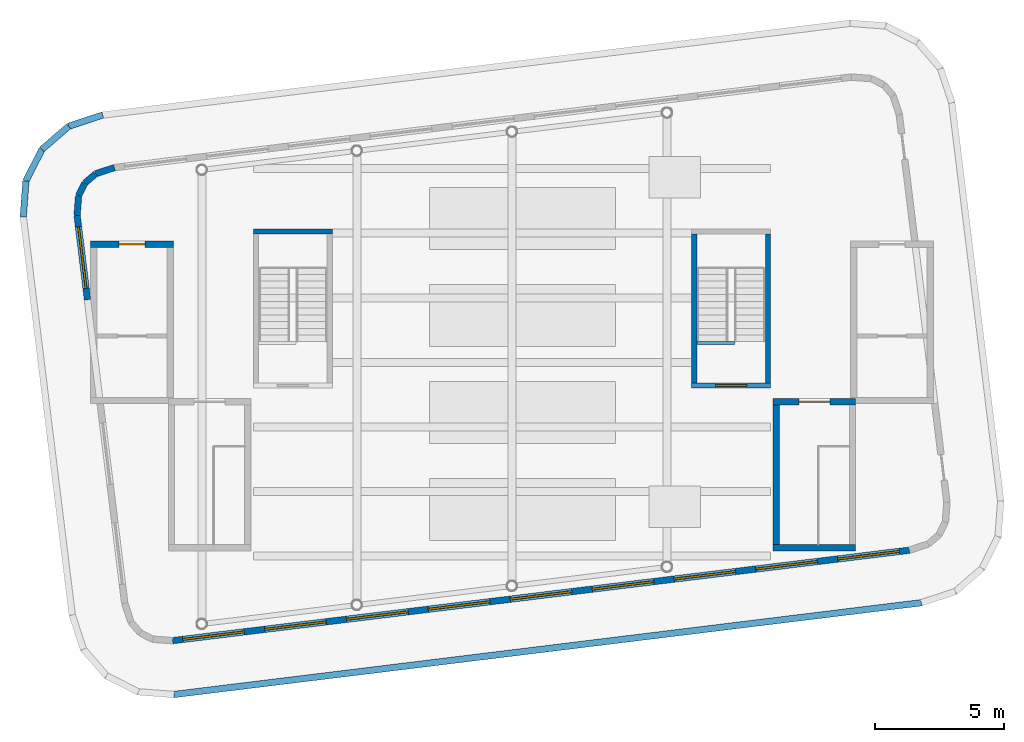
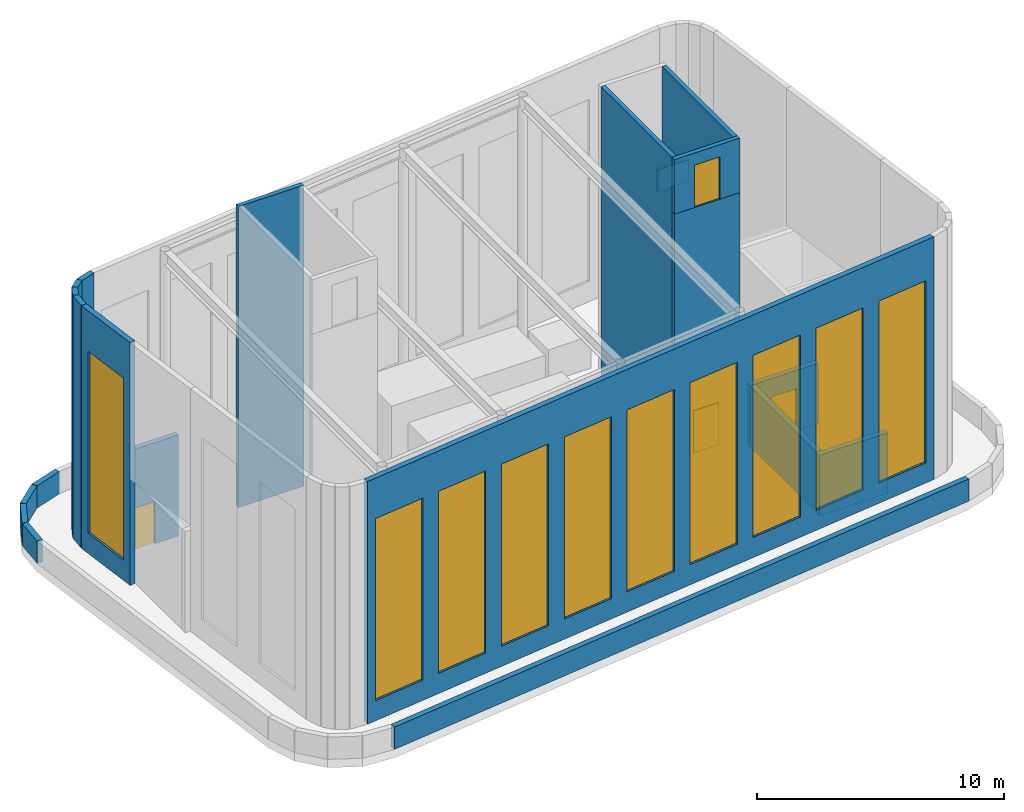
# One storey, part 3 of 7: 21 walls, 10 windows, 4 doors, 14 openings.
"""IFC4 building model written with IfcOpenShell, lengths in metres."""

from ifc_helpers import new_model, si_unit, direction, frame, frame_2d, origin, place, context, subcontext, project, spatial, rectangle, extrude, material, layer, layer_set, type_object, element, fill, save


model = new_model("IFC4")

# Units and contexts
model_context = context("Model", 3, precision=1e-05, world=origin(), true_north=direction((0.0, 1.0)))
body_context = subcontext(model_context, "Body", "Model", "MODEL_VIEW")
ifc_project = project(units=[si_unit("LENGTHUNIT", "METRE"), si_unit("AREAUNIT", "SQUARE_METRE"), si_unit("VOLUMEUNIT", "CUBIC_METRE"), si_unit("PLANEANGLEUNIT", "RADIAN"), si_unit("MASSUNIT", "GRAM", prefix="KILO")], contexts=[model_context])

# Site, building, storey
site_placement = place(None, origin())
site = spatial("IfcSite", under=ifc_project, at=site_placement, CompositionType="ELEMENT")
building_placement = place(site_placement, origin())
building = spatial("IfcBuilding", under=site, at=building_placement, Name="Torana Hotel and Residences", CompositionType="ELEMENT")
storey_placement = place(building_placement, frame((0.0, 0.0, 363.39990234375)))
storey = spatial("IfcBuildingStorey", under=building, at=storey_placement, Name="RF", CompositionType="ELEMENT", Elevation=363.39990234375)

# Wall, opening, door
ifc_material_1 = material(Name="Concrete C50/60", Category="concrete")
ifc_layer_1 = layer(ifc_material_1, 0.25)
ifc_layer_set_1 = layer_set([ifc_layer_1], Name="CORE WALL 250 C50/60")
wall_type_1 = type_object("IfcWallType", Name="CORE WALL 250 C50/60", PredefinedType="SHEAR", material=ifc_layer_set_1)
wall_1_placement = place(storey_placement, frame((10.10009765625, -9.02490234375, 0.0), z_axis=(0.0, 0.0, 1.0), x_axis=(1.0, 0.0, 0.0)))
wall_1 = element("IfcWall", 1, at=wall_1_placement, inside=storey, type_object=wall_type_1, Name="Stair head-house wall ST3", PredefinedType="SHEAR", context=body_context, shape_type="SweptSolid", body=[
    extrude(rectangle(XDim=3.199951171875, YDim=0.25, at=frame_2d((1.60009765625, 0.0))), origin(), (0.0, 0.0, 1.0), 3.0),
])
opening_1_placement = place(wall_1_placement, frame((1.0, 0.0, 0.0)))
opening_1 = element("IfcOpeningElement", 2, at=opening_1_placement, cuts=wall_1, Name="Opening RF-04", PredefinedType="OPENING", context=body_context, shape_type="SweptSolid", body=[
    extrude(rectangle(XDim=1.199951171875, YDim=2.10009765625, at=frame_2d((0.60009765625, 1.050048828125))), frame((0.0, 0.135009765625, 0.0), z_axis=(0.0, -1.0, 0.0), x_axis=(1.0, 0.0, 0.0)), (0.0, 0.0, 1.0), 0.27001953125),
])
ifc_material_2 = material(Name="Steel S235", Category="steel")
door_type_1 = type_object("IfcDoorType", Name="STAIR FIRE DOOR D3 1200x2100", OperationType="SINGLE_SWING_LEFT", PredefinedType="DOOR", material=ifc_material_2)
door_1_placement = place(opening_1_placement, frame((0.60009765625, 0.0, 0.0), z_axis=(0.0, 0.0, 1.0), x_axis=(-1.0, 0.0, 0.0)))
door_1 = element("IfcDoor", 3, at=door_1_placement, inside=storey, type_object=door_type_1, Name="Stair ST3 head-house door", OperationType="SINGLE_SWING_LEFT", OverallHeight=2.10009765625, OverallWidth=1.199951171875, PredefinedType="DOOR", context=body_context, shape_type="SweptSolid", body=[
    extrude(rectangle(XDim=1.199951171875, YDim=2.10009765625, at=frame_2d((0.0, 1.050048828125))), frame((0.0, -0.02490234375, 0.0), z_axis=(0.0, 1.0, 0.0), x_axis=(-1.0, 0.0, 0.0)), (0.0, 0.0, 1.0), 0.050048828125),
])
fill(opening_1, door_1)

# Walls
wall_2_placement = place(storey_placement, frame((10.10009765625, -14.675048828125, 0.0), z_axis=(0.0, 0.0, 1.0), x_axis=(1.0, 0.0, 0.0)))
element("IfcWall", 4, at=wall_2_placement, inside=storey, type_object=wall_type_1, Name="Stair head-house wall ST3", PredefinedType="SHEAR", context=body_context, shape_type="SweptSolid", body=[
    extrude(rectangle(XDim=3.199951171875, YDim=0.25, at=frame_2d((1.60009765625, 0.0))), origin(), (0.0, 0.0, 1.0), 3.0),
])
wall_3_placement = place(storey_placement, frame((10.22509765625, -14.550048828125, 0.0), z_axis=(0.0, 0.0, 1.0), x_axis=(0.0, 1.0, 0.0)))
element("IfcWall", 5, at=wall_3_placement, inside=storey, type_object=wall_type_1, Name="Stair head-house wall ST3", PredefinedType="SHEAR", context=body_context, shape_type="SweptSolid", body=[
    extrude(rectangle(XDim=5.400146484375, YDim=0.25, at=frame_2d((2.7001953125, 0.0))), origin(), (0.0, 0.0, 1.0), 3.0),
])

# Wall, opening, door
wall_4_placement = place(storey_placement, frame((-16.300048828125, -2.925048828125, 0.0), z_axis=(0.0, 0.0, 1.0), x_axis=(1.0, 0.0, 0.0)))
wall_4 = element("IfcWall", 6, at=wall_4_placement, inside=storey, type_object=wall_type_1, Name="Lift penthouse wall W", PredefinedType="SHEAR", context=body_context, shape_type="SweptSolid", body=[
    extrude(rectangle(XDim=3.199951171875, YDim=0.25, at=frame_2d((1.60009765625, 0.0))), origin(), (0.0, 0.0, 1.0), 5.0),
])
opening_2_placement = place(wall_4_placement, frame((1.10009765625, 0.0, 0.0)))
opening_2 = element("IfcOpeningElement", 7, at=opening_2_placement, cuts=wall_4, Name="Opening RF-01", PredefinedType="OPENING", context=body_context, shape_type="SweptSolid", body=[
    extrude(rectangle(XDim=1.0, YDim=2.10009765625, at=frame_2d((0.5, 1.050048828125))), frame((0.0, 0.135009765625, 0.0), z_axis=(0.0, -1.0, 0.0), x_axis=(1.0, 0.0, 0.0)), (0.0, 0.0, 1.0), 0.27001953125),
])
ifc_material_3 = material(Name="Steel S235", Category="steel")
door_type_2 = type_object("IfcDoorType", Name="ROOF LOBBY DOOR D9 1000x2100", OperationType="SINGLE_SWING_LEFT", PredefinedType="DOOR", material=ifc_material_3)
door_2_placement = place(opening_2_placement, origin())
door_2 = element("IfcDoor", 8, at=door_2_placement, inside=storey, type_object=door_type_2, Name="Roof lift lobby door", OperationType="SINGLE_SWING_RIGHT", OverallHeight=2.10009765625, OverallWidth=1.0, PredefinedType="DOOR", context=body_context, shape_type="SweptSolid", body=[
    extrude(rectangle(XDim=1.0, YDim=2.10009765625, at=frame_2d((0.5, 1.050048828125))), frame((0.0, 0.02490234375, 0.0), z_axis=(0.0, -1.0, 0.0), x_axis=(1.0, 0.0, 0.0)), (0.0, 0.0, 1.0), 0.050048828125),
])
fill(opening_2, door_2)

# Wall, openings, windows
ifc_material_4 = material(Name="Aluminium louvre wall", Category="aluminium")
ifc_layer_2 = layer(ifc_material_4, 0.25)
ifc_layer_set_2 = layer_set([ifc_layer_2], Name="EW3 LOUVRE WALL 250")
wall_type_2 = type_object("IfcWallType", Name="EW3 LOUVRE WALL 250", PredefinedType="SOLIDWALL", material=ifc_layer_set_2)
wall_5_placement = place(storey_placement, frame((15.3798828125, -14.766845703125, 0.0), z_axis=(0.0, 0.0, 1.0), x_axis=(-0.992546810088, -0.121863980664, 0.0)))
wall_5 = element("IfcWall", 9, at=wall_5_placement, inside=storey, type_object=wall_type_2, Name="Plant enclosure louvre wall 6", PredefinedType="SOLIDWALL", context=body_context, shape_type="SweptSolid", body=[
    extrude(rectangle(XDim=28.7265625, YDim=0.25, at=frame_2d((14.36328125, 0.0))), origin(), (0.0, 0.0, 1.0), 12.0),
])
opening_3_placement = place(wall_5_placement, frame((0.39599609375, 0.0, 1.0)))
opening_3 = element("IfcOpeningElement", 10, at=opening_3_placement, cuts=wall_5, Name="Opening LV3", PredefinedType="OPENING", context=body_context, shape_type="SweptSolid", body=[
    extrude(rectangle(XDim=2.39990234375, YDim=9.0, at=frame_2d((1.199951171875, 4.5))), frame((0.0, 0.135009765625, 0.0), z_axis=(0.0, -1.0, 0.0), x_axis=(1.0, 0.0, 0.0)), (0.0, 0.0, 1.0), 0.27001953125),
])
opening_4_placement = place(wall_5_placement, frame((3.587890625, 0.0, 1.0)))
opening_4 = element("IfcOpeningElement", 11, at=opening_4_placement, cuts=wall_5, Name="Opening LV3", PredefinedType="OPENING", context=body_context, shape_type="SweptSolid", body=[
    extrude(rectangle(XDim=2.39990234375, YDim=9.0, at=frame_2d((1.199951171875, 4.5))), frame((0.0, 0.135009765625, 0.0), z_axis=(0.0, -1.0, 0.0), x_axis=(1.0, 0.0, 0.0)), (0.0, 0.0, 1.0), 0.27001953125),
])
opening_5_placement = place(wall_5_placement, frame((6.779541015625, 0.0, 1.0)))
opening_5 = element("IfcOpeningElement", 12, at=opening_5_placement, cuts=wall_5, Name="Opening LV3", PredefinedType="OPENING", context=body_context, shape_type="SweptSolid", body=[
    extrude(rectangle(XDim=2.39990234375, YDim=9.0, at=frame_2d((1.199951171875, 4.5))), frame((0.0, 0.135009765625, 0.0), z_axis=(0.0, -1.0, 0.0), x_axis=(1.0, 0.0, 0.0)), (0.0, 0.0, 1.0), 0.27001953125),
])
opening_6_placement = place(wall_5_placement, frame((9.971435546875, 0.0, 1.0)))
opening_6 = element("IfcOpeningElement", 13, at=opening_6_placement, cuts=wall_5, Name="Opening LV3", PredefinedType="OPENING", context=body_context, shape_type="SweptSolid", body=[
    extrude(rectangle(XDim=2.39990234375, YDim=9.0, at=frame_2d((1.199951171875, 4.5))), frame((0.0, 0.135009765625, 0.0), z_axis=(0.0, -1.0, 0.0), x_axis=(1.0, 0.0, 0.0)), (0.0, 0.0, 1.0), 0.27001953125),
])
opening_7_placement = place(wall_5_placement, frame((13.163330078125, 0.0, 1.0)))
opening_7 = element("IfcOpeningElement", 14, at=opening_7_placement, cuts=wall_5, Name="Opening LV3", PredefinedType="OPENING", context=body_context, shape_type="SweptSolid", body=[
    extrude(rectangle(XDim=2.39990234375, YDim=9.0, at=frame_2d((1.199951171875, 4.5))), frame((0.0, 0.135009765625, 0.0), z_axis=(0.0, -1.0, 0.0), x_axis=(1.0, 0.0, 0.0)), (0.0, 0.0, 1.0), 0.27001953125),
])
opening_8_placement = place(wall_5_placement, frame((16.35498046875, 0.0, 1.0)))
opening_8 = element("IfcOpeningElement", 15, at=opening_8_placement, cuts=wall_5, Name="Opening LV3", PredefinedType="OPENING", context=body_context, shape_type="SweptSolid", body=[
    extrude(rectangle(XDim=2.39990234375, YDim=9.0, at=frame_2d((1.199951171875, 4.5))), frame((0.0, 0.135009765625, 0.0), z_axis=(0.0, -1.0, 0.0), x_axis=(1.0, 0.0, 0.0)), (0.0, 0.0, 1.0), 0.27001953125),
])
opening_9_placement = place(wall_5_placement, frame((19.547119140625, 0.0, 1.0)))
opening_9 = element("IfcOpeningElement", 16, at=opening_9_placement, cuts=wall_5, Name="Opening LV3", PredefinedType="OPENING", context=body_context, shape_type="SweptSolid", body=[
    extrude(rectangle(XDim=2.39990234375, YDim=9.0, at=frame_2d((1.199951171875, 4.5))), frame((0.0, 0.135009765625, 0.0), z_axis=(0.0, -1.0, 0.0), x_axis=(1.0, 0.0, 0.0)), (0.0, 0.0, 1.0), 0.27001953125),
])
opening_10_placement = place(wall_5_placement, frame((22.73876953125, 0.0, 1.0)))
opening_10 = element("IfcOpeningElement", 17, at=opening_10_placement, cuts=wall_5, Name="Opening LV3", PredefinedType="OPENING", context=body_context, shape_type="SweptSolid", body=[
    extrude(rectangle(XDim=2.39990234375, YDim=9.0, at=frame_2d((1.199951171875, 4.5))), frame((0.0, 0.135009765625, 0.0), z_axis=(0.0, -1.0, 0.0), x_axis=(1.0, 0.0, 0.0)), (0.0, 0.0, 1.0), 0.27001953125),
])
opening_11_placement = place(wall_5_placement, frame((25.9306640625, 0.0, 1.0)))
opening_11 = element("IfcOpeningElement", 18, at=opening_11_placement, cuts=wall_5, Name="Opening LV3", PredefinedType="OPENING", context=body_context, shape_type="SweptSolid", body=[
    extrude(rectangle(XDim=2.39990234375, YDim=9.0, at=frame_2d((1.199951171875, 4.5))), frame((0.0, 0.135009765625, 0.0), z_axis=(0.0, -1.0, 0.0), x_axis=(1.0, 0.0, 0.0)), (0.0, 0.0, 1.0), 0.27001953125),
])
ifc_material_5 = material(Name="Aluminium louvre blades", Category="aluminium")
window_type = type_object("IfcWindowType", Name="LV3 LOUVRE 2400x9000", PartitioningType="SINGLE_PANEL", PredefinedType="USERDEFINED", material=ifc_material_5)
window_1_placement = place(opening_3_placement, origin())
window_1 = element("IfcWindow", 19, at=window_1_placement, inside=storey, type_object=window_type, Name="Plant enclosure louvre", ObjectType="LOUVRE", OverallHeight=9.0, OverallWidth=2.39990234375, PartitioningType="SINGLE_PANEL", PredefinedType="USERDEFINED", context=body_context, shape_type="SweptSolid", body=[
    extrude(rectangle(XDim=2.39990234375, YDim=9.0, at=frame_2d((1.199951171875, 4.5))), frame((0.0, 0.030029296875, 0.0), z_axis=(0.0, -1.0, 0.0), x_axis=(1.0, 0.0, 0.0)), (0.0, 0.0, 1.0), 0.06005859375),
])
fill(opening_3, window_1)
window_2_placement = place(opening_4_placement, origin())
window_2 = element("IfcWindow", 20, at=window_2_placement, inside=storey, type_object=window_type, Name="Plant enclosure louvre", ObjectType="LOUVRE", OverallHeight=9.0, OverallWidth=2.39990234375, PartitioningType="SINGLE_PANEL", PredefinedType="USERDEFINED", context=body_context, shape_type="SweptSolid", body=[
    extrude(rectangle(XDim=2.39990234375, YDim=9.0, at=frame_2d((1.199951171875, 4.5))), frame((0.0, 0.030029296875, 0.0), z_axis=(0.0, -1.0, 0.0), x_axis=(1.0, 0.0, 0.0)), (0.0, 0.0, 1.0), 0.06005859375),
])
fill(opening_4, window_2)
window_3_placement = place(opening_5_placement, origin())
window_3 = element("IfcWindow", 21, at=window_3_placement, inside=storey, type_object=window_type, Name="Plant enclosure louvre", ObjectType="LOUVRE", OverallHeight=9.0, OverallWidth=2.39990234375, PartitioningType="SINGLE_PANEL", PredefinedType="USERDEFINED", context=body_context, shape_type="SweptSolid", body=[
    extrude(rectangle(XDim=2.39990234375, YDim=9.0, at=frame_2d((1.199951171875, 4.5))), frame((0.0, 0.030029296875, 0.0), z_axis=(0.0, -1.0, 0.0), x_axis=(1.0, 0.0, 0.0)), (0.0, 0.0, 1.0), 0.06005859375),
])
fill(opening_5, window_3)
window_4_placement = place(opening_6_placement, origin())
window_4 = element("IfcWindow", 22, at=window_4_placement, inside=storey, type_object=window_type, Name="Plant enclosure louvre", ObjectType="LOUVRE", OverallHeight=9.0, OverallWidth=2.39990234375, PartitioningType="SINGLE_PANEL", PredefinedType="USERDEFINED", context=body_context, shape_type="SweptSolid", body=[
    extrude(rectangle(XDim=2.39990234375, YDim=9.0, at=frame_2d((1.199951171875, 4.5))), frame((0.0, 0.030029296875, 0.0), z_axis=(0.0, -1.0, 0.0), x_axis=(1.0, 0.0, 0.0)), (0.0, 0.0, 1.0), 0.06005859375),
])
fill(opening_6, window_4)
window_5_placement = place(opening_7_placement, origin())
window_5 = element("IfcWindow", 23, at=window_5_placement, inside=storey, type_object=window_type, Name="Plant enclosure louvre", ObjectType="LOUVRE", OverallHeight=9.0, OverallWidth=2.39990234375, PartitioningType="SINGLE_PANEL", PredefinedType="USERDEFINED", context=body_context, shape_type="SweptSolid", body=[
    extrude(rectangle(XDim=2.39990234375, YDim=9.0, at=frame_2d((1.199951171875, 4.5))), frame((0.0, 0.030029296875, 0.0), z_axis=(0.0, -1.0, 0.0), x_axis=(1.0, 0.0, 0.0)), (0.0, 0.0, 1.0), 0.06005859375),
])
fill(opening_7, window_5)
window_6_placement = place(opening_8_placement, origin())
window_6 = element("IfcWindow", 24, at=window_6_placement, inside=storey, type_object=window_type, Name="Plant enclosure louvre", ObjectType="LOUVRE", OverallHeight=9.0, OverallWidth=2.39990234375, PartitioningType="SINGLE_PANEL", PredefinedType="USERDEFINED", context=body_context, shape_type="SweptSolid", body=[
    extrude(rectangle(XDim=2.39990234375, YDim=9.0, at=frame_2d((1.199951171875, 4.5))), frame((0.0, 0.030029296875, 0.0), z_axis=(0.0, -1.0, 0.0), x_axis=(1.0, 0.0, 0.0)), (0.0, 0.0, 1.0), 0.06005859375),
])
fill(opening_8, window_6)
window_7_placement = place(opening_9_placement, origin())
window_7 = element("IfcWindow", 25, at=window_7_placement, inside=storey, type_object=window_type, Name="Plant enclosure louvre", ObjectType="LOUVRE", OverallHeight=9.0, OverallWidth=2.39990234375, PartitioningType="SINGLE_PANEL", PredefinedType="USERDEFINED", context=body_context, shape_type="SweptSolid", body=[
    extrude(rectangle(XDim=2.39990234375, YDim=9.0, at=frame_2d((1.199951171875, 4.5))), frame((0.0, 0.030029296875, 0.0), z_axis=(0.0, -1.0, 0.0), x_axis=(1.0, 0.0, 0.0)), (0.0, 0.0, 1.0), 0.06005859375),
])
fill(opening_9, window_7)
window_8_placement = place(opening_10_placement, origin())
window_8 = element("IfcWindow", 26, at=window_8_placement, inside=storey, type_object=window_type, Name="Plant enclosure louvre", ObjectType="LOUVRE", OverallHeight=9.0, OverallWidth=2.39990234375, PartitioningType="SINGLE_PANEL", PredefinedType="USERDEFINED", context=body_context, shape_type="SweptSolid", body=[
    extrude(rectangle(XDim=2.39990234375, YDim=9.0, at=frame_2d((1.199951171875, 4.5))), frame((0.0, 0.030029296875, 0.0), z_axis=(0.0, -1.0, 0.0), x_axis=(1.0, 0.0, 0.0)), (0.0, 0.0, 1.0), 0.06005859375),
])
fill(opening_10, window_8)
window_9_placement = place(opening_11_placement, origin())
window_9 = element("IfcWindow", 27, at=window_9_placement, inside=storey, type_object=window_type, Name="Plant enclosure louvre", ObjectType="LOUVRE", OverallHeight=9.0, OverallWidth=2.39990234375, PartitioningType="SINGLE_PANEL", PredefinedType="USERDEFINED", context=body_context, shape_type="SweptSolid", body=[
    extrude(rectangle(XDim=2.39990234375, YDim=9.0, at=frame_2d((1.199951171875, 4.5))), frame((0.0, 0.030029296875, 0.0), z_axis=(0.0, -1.0, 0.0), x_axis=(1.0, 0.0, 0.0)), (0.0, 0.0, 1.0), 0.06005859375),
])
fill(opening_11, window_9)

# Wall, opening, window
wall_6_placement = place(storey_placement, frame((-16.426025390625, -5.0791015625, 0.0), z_axis=(0.0, 0.0, 1.0), x_axis=(-0.121896433705, 0.992542824995, 0.0)))
wall_6 = element("IfcWall", 28, at=wall_6_placement, inside=storey, type_object=wall_type_2, Name="Plant enclosure louvre wall 11", PredefinedType="SOLIDWALL", context=body_context, shape_type="SweptSolid", body=[
    extrude(rectangle(XDim=3.28857421875, YDim=0.25, at=frame_2d((1.644287109375, 0.0))), origin(), (0.0, 0.0, 1.0), 12.0),
])
opening_12_placement = place(wall_6_placement, frame((0.4443359375, 0.0, 1.0)))
opening_12 = element("IfcOpeningElement", 29, at=opening_12_placement, cuts=wall_6, Name="Opening LV3", PredefinedType="OPENING", context=body_context, shape_type="SweptSolid", body=[
    extrude(rectangle(XDim=2.39990234375, YDim=9.0, at=frame_2d((1.199951171875, 4.5))), frame((0.0, 0.135009765625, 0.0), z_axis=(0.0, -1.0, 0.0), x_axis=(1.0, 0.0, 0.0)), (0.0, 0.0, 1.0), 0.27001953125),
])
window_10_placement = place(opening_12_placement, origin())
window_10 = element("IfcWindow", 30, at=window_10_placement, inside=storey, type_object=window_type, Name="Plant enclosure louvre", ObjectType="LOUVRE", OverallHeight=9.0, OverallWidth=2.39990234375, PartitioningType="SINGLE_PANEL", PredefinedType="USERDEFINED", context=body_context, shape_type="SweptSolid", body=[
    extrude(rectangle(XDim=2.39990234375, YDim=9.0, at=frame_2d((1.199951171875, 4.5))), frame((0.0, 0.030029296875, 0.0), z_axis=(0.0, -1.0, 0.0), x_axis=(1.0, 0.0, 0.0)), (0.0, 0.0, 1.0), 0.06005859375),
])
fill(opening_12, window_10)

# Walls
wall_7_placement = place(storey_placement, frame((-16.826904296875, -1.81494140625, 0.0), z_axis=(0.0, 0.0, 1.0), x_axis=(0.074070751166, 0.997252988876, 0.0)))
element("IfcWall", 31, at=wall_7_placement, inside=storey, type_object=wall_type_2, Name="Plant enclosure louvre wall 12", PredefinedType="SOLIDWALL", context=body_context, shape_type="SweptSolid", body=[
    extrude(rectangle(XDim=0.76806640625, YDim=0.25, at=frame_2d((0.384033203125, 0.0))), origin(), (0.0, 0.0, 1.0), 12.0),
])
wall_8_placement = place(storey_placement, frame((-16.77001953125, -1.049072265625, 0.0), z_axis=(0.0, 0.0, 1.0), x_axis=(0.450424839649, 0.892814350146, 0.0)))
element("IfcWall", 32, at=wall_8_placement, inside=storey, type_object=wall_type_2, Name="Plant enclosure louvre wall 13", PredefinedType="SOLIDWALL", context=body_context, shape_type="SweptSolid", body=[
    extrude(rectangle(XDim=0.546875, YDim=0.25, at=frame_2d((0.2734375, 0.0))), origin(), (0.0, 0.0, 1.0), 12.0),
])
wall_9_placement = place(storey_placement, frame((-16.523681640625, -0.560791015625, 0.0), z_axis=(0.0, 0.0, 1.0), x_axis=(0.757394739228, 0.652957279605, 0.0)))
element("IfcWall", 33, at=wall_9_placement, inside=storey, type_object=wall_type_2, Name="Plant enclosure louvre wall 14", PredefinedType="SOLIDWALL", context=body_context, shape_type="SweptSolid", body=[
    extrude(rectangle(XDim=0.547119140625, YDim=0.25, at=frame_2d((0.2734375, 0.0))), origin(), (0.0, 0.0, 1.0), 12.0),
])
wall_10_placement = place(storey_placement, frame((-16.109375, -0.20361328125, 0.0), z_axis=(0.0, 0.0, 1.0), x_axis=(0.949726974671, 0.313079340713, 0.0)))
element("IfcWall", 34, at=wall_10_placement, inside=storey, type_object=wall_type_2, Name="Plant enclosure louvre wall 15", PredefinedType="SOLIDWALL", context=body_context, shape_type="SweptSolid", body=[
    extrude(rectangle(XDim=0.76806640625, YDim=0.25, at=frame_2d((0.384033203125, 0.0))), origin(), (0.0, 0.0, 1.0), 12.0),
])
ifc_material_6 = material(Name="Aluminium coping with drip", Category="aluminium")
ifc_layer_3 = layer(ifc_material_6, 0.0029296875, Name="Coping flashing", Category="flashing")
ifc_material_7 = material(Name="Concrete C40/50 precast", Category="concrete")
ifc_layer_4 = layer(ifc_material_7, 0.00390625, Name="Cladding", Category="cladding")
ifc_material_8 = material(Name="Concrete C40/50", Category="concrete")
ifc_layer_5 = layer(ifc_material_8, 0.199951171875, Name="Wall", Category="structure")
ifc_material_9 = material(Name="Mineral wool insulation")
ifc_layer_6 = layer(ifc_material_9, 0.0400390625, Name="Insulation", Category="insulation")
ifc_material_10 = material(Name="Waterproofing upstand")
ifc_layer_7 = layer(ifc_material_10, 0.0029296875, Name="Upstand membrane", Category="membrane")
ifc_layer_set_3 = layer_set([ifc_layer_3, ifc_layer_4, ifc_layer_5, ifc_layer_6, ifc_layer_7], Name="PP1 PARAPET 250")
wall_type_3 = type_object("IfcWallType", Name="PP1 PARAPET 250", PredefinedType="PARAPET", material=ifc_layer_set_3)
wall_11_placement = place(storey_placement, frame((15.835693359375, -16.801513671875, 0.0), z_axis=(0.0, 0.0, 1.0), x_axis=(-0.99254686971, -0.121863495059, 0.0)))
element("IfcWall", 35, at=wall_11_placement, inside=storey, type_object=wall_type_3, Name="Roof parapet RF 6", PredefinedType="PARAPET", context=body_context, shape_type="SweptSolid", body=[
    extrude(rectangle(XDim=29.13525390625, YDim=0.25, at=frame_2d((14.567626953125, 0.0))), origin(), (0.0, 0.0, 1.0), 1.10009765625),
])
wall_12_placement = place(storey_placement, frame((-18.9111328125, -1.864990234375, 0.0), z_axis=(0.0, 0.0, 1.0), x_axis=(0.074040515881, 0.997255234134, 0.0)))
element("IfcWall", 36, at=wall_12_placement, inside=storey, type_object=wall_type_3, Name="Roof parapet RF 12", PredefinedType="PARAPET", context=body_context, shape_type="SweptSolid", body=[
    extrude(rectangle(XDim=1.385009765625, YDim=0.25, at=frame_2d((0.6923828125, 0.0))), origin(), (0.0, 0.0, 1.0), 1.10009765625),
])
for number, where, z_axis, x_axis, name in (
    (37, (-18.80859375, -0.48388671875, 0.0), (0.0, 0.0, 1.0), (0.450057544938, 0.892999555568, 0.0), "Roof parapet RF 13"),
    (38, (-18.19091796875, 0.74169921875, 0.0), (0.0, 0.0, 1.0), (0.757546441129, 0.652781272351, 0.0), "Roof parapet RF 14"),
):
    element("IfcWall", number, at=place(storey_placement, frame(where, z_axis=z_axis, x_axis=x_axis)), inside=storey, type_object=wall_type_3, Name=name, PredefinedType="PARAPET", context=body_context, shape_type="SweptSolid", body=[
        extrude(rectangle(XDim=1.37255859375, YDim=0.25, at=frame_2d((0.686279296875, 0.0))), origin(), (0.0, 0.0, 1.0), 1.10009765625),
    ])
wall_13_placement = place(storey_placement, frame((-17.151123046875, 1.6376953125, 0.0), z_axis=(0.0, 0.0, 1.0), x_axis=(0.949683186134, 0.313212142123, 0.0)))
element("IfcWall", 39, at=wall_13_placement, inside=storey, type_object=wall_type_3, Name="Roof parapet RF 15", PredefinedType="PARAPET", context=body_context, shape_type="SweptSolid", body=[
    extrude(rectangle(XDim=1.385009765625, YDim=0.25, at=frame_2d((0.6923828125, 0.0))), origin(), (0.0, 0.0, 1.0), 1.10009765625),
])
ifc_material_11 = material(Name="Concrete C40/50", Category="concrete")
ifc_layer_8 = layer(ifc_material_11, 0.199951171875)
ifc_layer_set_4 = layer_set([ifc_layer_8], Name="STAIR ENCLOSURE WALL 200 C40/50")
wall_type_4 = type_object("IfcWallType", Name="STAIR ENCLOSURE WALL 200 C40/50", PredefinedType="SHEAR", material=ifc_layer_set_4)
wall_14_placement = place(storey_placement, frame((-10.0, -2.43994140625, 0.0), z_axis=(0.0, 0.0, 1.0), x_axis=(1.0, 0.0, 0.0)))
element("IfcWall", 40, at=wall_14_placement, inside=storey, type_object=wall_type_4, Name="Stair cell wall ST6 N", PredefinedType="SHEAR", context=body_context, shape_type="SweptSolid", body=[
    extrude(rectangle(XDim=3.050048828125, YDim=0.199951171875, at=frame_2d((1.52490234375, 0.0))), origin(), (0.0, 0.0, 1.0), 14.900146484375),
])
for number, where, z_axis, x_axis, name in (
    (41, (7.050048828125, -8.300048828125, 0.0), (0.0, 0.0, 1.0), (0.0, 1.0, 0.0), "Stair cell wall ST7 W"),
    (42, (9.89990234375, -8.300048828125, 0.0), (0.0, 0.0, 1.0), (0.0, 1.0, 0.0), "Stair cell wall ST7 E"),
):
    element("IfcWall", number, at=place(storey_placement, frame(where, z_axis=z_axis, x_axis=x_axis)), inside=storey, type_object=wall_type_4, Name=name, PredefinedType="SHEAR", context=body_context, shape_type="SweptSolid", body=[
        extrude(rectangle(XDim=5.760009765625, YDim=0.199951171875, at=frame_2d((2.8798828125, 0.0))), origin(), (0.0, 0.0, 1.0), 14.900146484375),
    ])

# Wall, opening, door
wall_15_placement = place(storey_placement, frame((6.949951171875, -8.39990234375, 0.0), z_axis=(0.0, 0.0, 1.0), x_axis=(1.0, 0.0, 0.0)))
wall_15 = element("IfcWall", 43, at=wall_15_placement, inside=storey, type_object=wall_type_4, Name="Stair cell wall ST7 S", PredefinedType="SHEAR", context=body_context, shape_type="SweptSolid", body=[
    extrude(rectangle(XDim=3.050048828125, YDim=0.199951171875, at=frame_2d((1.52490234375, 0.0))), origin(), (0.0, 0.0, 1.0), 12.2001953125),
])
opening_13_placement = place(wall_15_placement, frame((0.925048828125, 0.0, 0.0)))
opening_13 = element("IfcOpeningElement", 44, at=opening_13_placement, cuts=wall_15, Name="Opening RF-07", PredefinedType="OPENING", context=body_context, shape_type="SweptSolid", body=[
    extrude(rectangle(XDim=1.199951171875, YDim=2.10009765625, at=frame_2d((0.60009765625, 1.050048828125))), frame((0.0, 0.10986328125, 0.0), z_axis=(0.0, -1.0, 0.0), x_axis=(1.0, 0.0, 0.0)), (0.0, 0.0, 1.0), 0.219970703125),
])
door_3_placement = place(opening_13_placement, origin())
door_3 = element("IfcDoor", 45, at=door_3_placement, inside=storey, type_object=door_type_1, Name="Stair ST7 door", OperationType="SINGLE_SWING_RIGHT", OverallHeight=2.10009765625, OverallWidth=1.199951171875, PredefinedType="DOOR", context=body_context, shape_type="SweptSolid", body=[
    extrude(rectangle(XDim=1.199951171875, YDim=2.10009765625, at=frame_2d((0.60009765625, 1.050048828125))), frame((0.0, 0.02490234375, 0.0), z_axis=(0.0, -1.0, 0.0), x_axis=(1.0, 0.0, 0.0)), (0.0, 0.0, 1.0), 0.050048828125),
])
fill(opening_13, door_3)

wall_16_placement = place(storey_placement, frame((6.949951171875, -8.39990234375, 12.2001953125), z_axis=(0.0, 0.0, 1.0), x_axis=(1.0, 0.0, 0.0)))
wall_16 = element("IfcWall", 46, at=wall_16_placement, inside=storey, type_object=wall_type_4, Name="Stair cell wall ST7 head", PredefinedType="SHEAR", context=body_context, shape_type="SweptSolid", body=[
    extrude(rectangle(XDim=3.050048828125, YDim=0.199951171875, at=frame_2d((1.52490234375, 0.0))), origin(), (0.0, 0.0, 1.0), 2.699951171875),
])
opening_14_placement = place(wall_16_placement, frame((0.925048828125, 0.0, 0.0)))
opening_14 = element("IfcOpeningElement", 47, at=opening_14_placement, cuts=wall_16, Name="Opening RF-08", PredefinedType="OPENING", context=body_context, shape_type="SweptSolid", body=[
    extrude(rectangle(XDim=1.199951171875, YDim=2.10009765625, at=frame_2d((0.60009765625, 1.050048828125))), frame((0.0, 0.10986328125, 0.0), z_axis=(0.0, -1.0, 0.0), x_axis=(1.0, 0.0, 0.0)), (0.0, 0.0, 1.0), 0.219970703125),
])
door_4_placement = place(opening_14_placement, frame((0.60009765625, 0.0, 0.0), z_axis=(0.0, 0.0, 1.0), x_axis=(-1.0, 0.0, 0.0)))
door_4 = element("IfcDoor", 48, at=door_4_placement, inside=storey, type_object=door_type_1, Name="Stair ST7 roof deck door", OperationType="SINGLE_SWING_RIGHT", OverallHeight=2.10009765625, OverallWidth=1.199951171875, PredefinedType="DOOR", context=body_context, shape_type="SweptSolid", body=[
    extrude(rectangle(XDim=1.199951171875, YDim=2.10009765625, at=frame_2d((0.0, 1.050048828125))), frame((0.0, -0.02490234375, 0.0), z_axis=(0.0, 1.0, 0.0), x_axis=(-1.0, 0.0, 0.0)), (0.0, 0.0, 1.0), 0.050048828125),
])
fill(opening_14, door_4)

# Wall
ifc_material_12 = material(Name="Concrete C40/50", Category="concrete")
ifc_layer_9 = layer(ifc_material_12, 0.10009765625)
ifc_layer_set_5 = layer_set([ifc_layer_9], Name="STAIR LANDING KERB WALL 100")
wall_type_5 = type_object("IfcWallType", Name="STAIR LANDING KERB WALL 100", PredefinedType="PARAPET", material=ifc_layer_set_5)
wall_17_placement = place(storey_placement, frame((7.14990234375, -6.75, 12.2001953125), z_axis=(0.0, 0.0, 1.0), x_axis=(1.0, 0.0, 0.0)))
element("IfcWall", 49, at=wall_17_placement, inside=storey, type_object=wall_type_5, Name="Stair ST7 landing kerb wall", PredefinedType="PARAPET", context=body_context, shape_type="SweptSolid", body=[
    extrude(rectangle(XDim=1.4501953125, YDim=0.10009765625, at=frame_2d((0.72509765625, 0.0))), origin(), (0.0, 0.0, 1.0), 1.099853515625),
])

save(model, "model.ifc")
